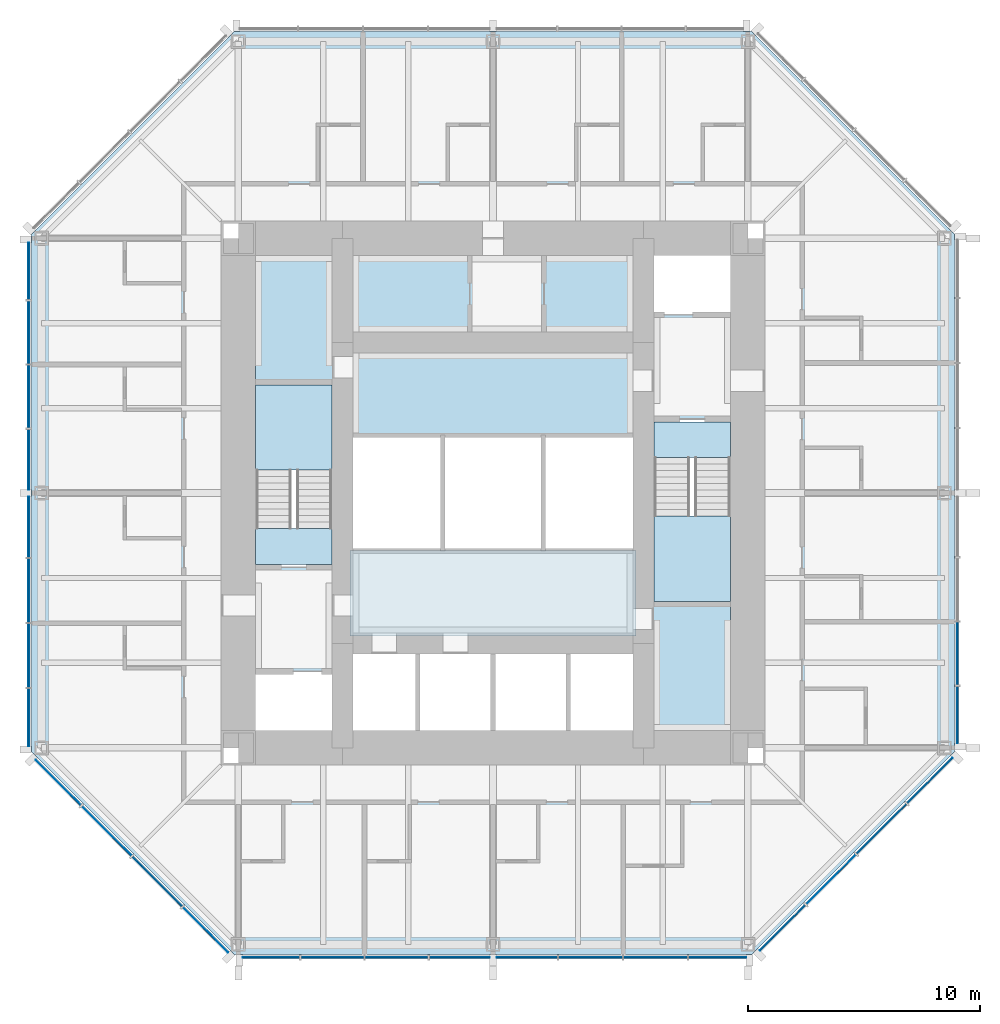
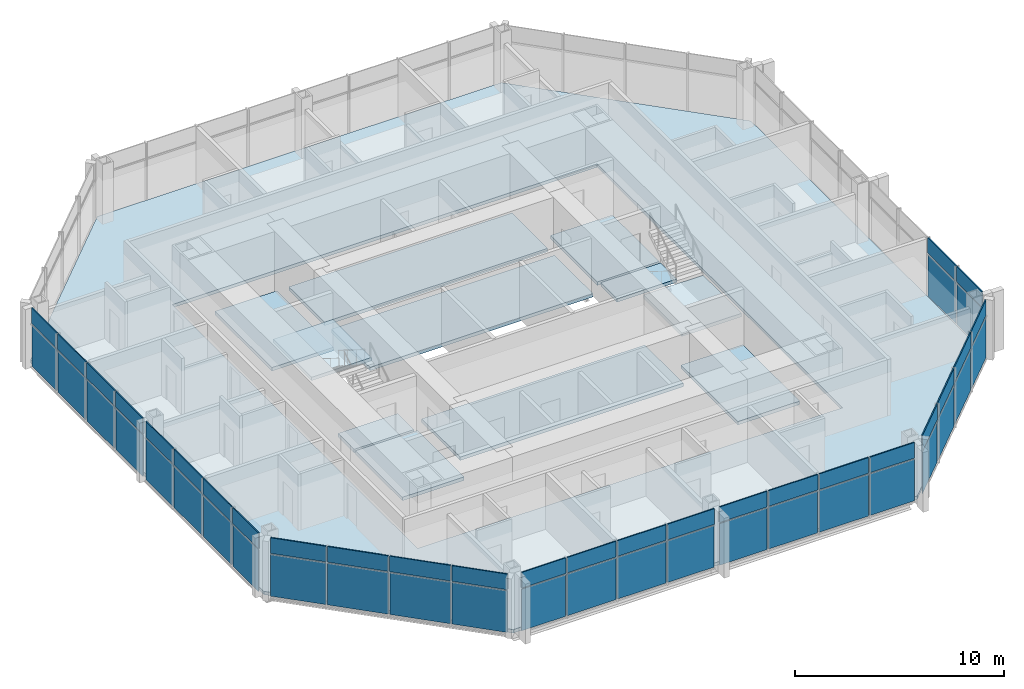
# One storey, part 6 of 12: 52 plates, 12 slabs, 7 elements without a shape of their own.
"""IFC4 building model written with IfcOpenShell, lengths in metres."""

import ifcopenshell
import ifcopenshell.guid

model = None  # the IFC model being written
_history = None  # IfcOwnerHistory: only IFC2X3 demands one
_inside = {}  # id of a spatial element -> (the spatial element, [elements in it])
_under = {}  # id of a project, library or spatial element -> (it, [spatial elements below it])
_declared = {}  # id of a project -> (the project, [libraries it declares])
_typed = {}  # id of a type object -> (the type object, [elements of that type])
_made_of = {}  # id of a material, layer set ... -> (it, [elements and type objects made of it])


def new_model(schema):
    """Start an empty IFC model of exactly this schema.

    Asked for "IFC4X3", IfcOpenShell would pick the latest addendum, in which some entities
    have other attributes; the version numbers below select the first issue.
    IFC2X3 requires an IfcOwnerHistory on every rooted entity: one is made here for all.
    """
    global model, _history
    if schema == "IFC4X3":
        model = ifcopenshell.file(schema_version=(4, 3, 0, 0))
    else:
        model = ifcopenshell.file(schema=schema)
    _inside.clear()
    _under.clear()
    _declared.clear()
    _typed.clear()
    _made_of.clear()
    _history = None
    if model.schema == "IFC2X3":
        org = make("IfcOrganization", Name="unknown")
        user = make(
            "IfcPersonAndOrganization",
            ThePerson=make("IfcPerson", FamilyName="unknown"),
            TheOrganization=org,
        )
        app = make(
            "IfcApplication",
            ApplicationDeveloper=org,
            Version="unknown",
            ApplicationFullName="unknown",
            ApplicationIdentifier="unknown",
        )
        _history = make(
            "IfcOwnerHistory",
            OwningUser=user,
            OwningApplication=app,
            ChangeAction="ADDED",
            CreationDate=0,
        )
    return model


def make(cls, **values):
    """One entity of the class cls with the attributes given. An attribute that is None is left unset."""
    return model.create_entity(
        cls, **{name: value for name, value in values.items() if value is not None}
    )


def rooted(cls, **values):
    """An entity with a GlobalId (a new one), such as an element, a storey or a relation."""
    return make(cls, GlobalId=ifcopenshell.guid.new(), OwnerHistory=_history, **values)


def si_unit(unit_type, name, prefix=None):
    """IfcSIUnit, for example si_unit("LENGTHUNIT", "METRE", prefix="MILLI")."""
    return make("IfcSIUnit", UnitType=unit_type, Prefix=prefix, Name=name)


def assignment(units):
    """IfcUnitAssignment: the units of a project."""
    return None if units is None else make("IfcUnitAssignment", Units=units)


def point(xyz):
    """IfcCartesianPoint."""
    return None if xyz is None else make("IfcCartesianPoint", Coordinates=xyz)


def direction(xyz):
    """IfcDirection."""
    return None if xyz is None else make("IfcDirection", DirectionRatios=xyz)


def frame(location, z_axis=None, x_axis=None):
    """IfcAxis2Placement3D, a coordinate frame: its origin and axes. An axis left out is left unset."""
    return make(
        "IfcAxis2Placement3D",
        Location=point(location),
        Axis=direction(z_axis),
        RefDirection=direction(x_axis),
    )


def frame_2d(location, x_axis=None):
    """IfcAxis2Placement2D, a coordinate frame in the plane: its origin and x axis."""
    return make(
        "IfcAxis2Placement2D", Location=point(location), RefDirection=direction(x_axis)
    )


def origin():
    """The frame at (0, 0, 0) with its axes left unset."""
    return frame((0.0, 0.0, 0.0))


def origin_2d():
    """The frame at (0, 0) in the plane with its x axis left unset."""
    return frame_2d((0.0, 0.0))


def place(relative_to, where):
    """IfcLocalPlacement: puts the frame where relative to a parent placement (None: the world)."""
    return make(
        "IfcLocalPlacement", PlacementRelTo=relative_to, RelativePlacement=where
    )


def context(
    kind, dimensions, precision=None, world=None, true_north=None, identifier=None
):
    """IfcGeometricRepresentationContext, for example the 3D "Model" context."""
    return make(
        "IfcGeometricRepresentationContext",
        ContextIdentifier=identifier,
        ContextType=kind,
        CoordinateSpaceDimension=dimensions,
        Precision=precision,
        WorldCoordinateSystem=world,
        TrueNorth=true_north,
    )


def subcontext(parent, identifier, kind, view, scale=None):
    """IfcGeometricRepresentationSubContext, for example "Body" below "Model"."""
    return make(
        "IfcGeometricRepresentationSubContext",
        ContextIdentifier=identifier,
        ContextType=kind,
        ParentContext=parent,
        TargetScale=scale,
        TargetView=view,
    )


def project(units=None, contexts=None):
    """IfcProject with its units and contexts."""
    return rooted(
        "IfcProject",
        Name="project",
        RepresentationContexts=contexts,
        UnitsInContext=assignment(units),
    )


def spatial(cls, under=None, at=None, **own):
    """A site, building, storey or space (cls), placed at a placement, below another one or the project."""
    s = rooted(cls, ObjectPlacement=at, **own)
    if under is not None:
        _under.setdefault(under.id(), (under, []))[1].append(s)
    return s


def polyline(points):
    """IfcPolyline through the points."""
    return make("IfcPolyline", Points=[point(p) for p in points])


def profile(cls, at=None, kind="AREA", **sizes):
    """A parametric profile (cls). Its sizes go by their IFC names, for example OverallWidth=200.0."""
    return make(cls, ProfileType=kind, Position=at, **sizes)


def rectangle(**sizes):
    """IfcRectangleProfileDef."""
    return profile("IfcRectangleProfileDef", **sizes)


def outline(outer, holes=None, kind="AREA"):
    """IfcArbitraryClosedProfileDef: a profile drawn as a closed curve; with holes, ...WithVoids."""
    if holes is None:
        return make("IfcArbitraryClosedProfileDef", ProfileType=kind, OuterCurve=outer)
    return make(
        "IfcArbitraryProfileDefWithVoids",
        ProfileType=kind,
        OuterCurve=outer,
        InnerCurves=holes,
    )


def extrude(swept, where, along, depth):
    """IfcExtrudedAreaSolid: the profile swept, set in the frame where, extruded along a direction by depth."""
    return make(
        "IfcExtrudedAreaSolid",
        SweptArea=swept,
        Position=where,
        ExtrudedDirection=direction(along),
        Depth=depth,
    )


def shape(context_of_items, identifier, shape_type, items):
    """IfcShapeRepresentation: the items that make up one representation, for example the "Body"."""
    return make(
        "IfcShapeRepresentation",
        ContextOfItems=context_of_items,
        RepresentationIdentifier=identifier,
        RepresentationType=shape_type,
        Items=items,
    )


def material(Name=None, Category=None):
    """IfcMaterial."""
    return make("IfcMaterial", Name=Name, Category=Category)


def layer(
    of_material, thickness, ventilated=None, Name=None, Category=None, Priority=None
):
    """IfcMaterialLayer: one layer of a wall or slab, of a material (None: an air gap)."""
    return make(
        "IfcMaterialLayer",
        Material=of_material,
        LayerThickness=thickness,
        IsVentilated=ventilated,
        Name=Name,
        Category=Category,
        Priority=Priority,
    )


def layer_set(layers, Name=None):
    """IfcMaterialLayerSet."""
    return make("IfcMaterialLayerSet", MaterialLayers=layers, LayerSetName=Name)


def made_of(thing, what):
    """Note that an element or type object is made of a material, layer set ...; save() writes the relation."""
    if what is not None:
        _made_of.setdefault(what.id(), (what, []))[1].append(thing)
    return thing


def type_object(cls, material=None, **own):
    """A type object (cls), such as IfcWallType, which elements share."""
    return made_of(rooted(cls, **own), material)


def element(
    cls,
    number,
    at=None,
    inside=None,
    cuts=None,
    type_object=None,
    material=None,
    context=None,
    identifier="Body",
    shape_type=None,
    held_by="IfcProductDefinitionShape",
    body=None,
    shapes=None,
    **own,
):
    """One element of the class cls, such as IfcWall. Its Tag is "e" and its number.

    at: its placement. inside: the storey or other place that contains it. cuts: it is an
    opening in that element (IfcRelVoidsElement). A single representation is given by context,
    identifier, shape_type and body (its items); several are given by shapes. held_by: the class
    of the entity that holds the representations. save() writes the other relations.
    """
    e = rooted(cls, Tag="e%d" % number, ObjectPlacement=at, **own)
    if body is not None:
        shapes = [shape(context, identifier, shape_type, body)]
    if shapes is not None:
        e.Representation = make(held_by, Representations=shapes)
    if inside is not None:
        _inside.setdefault(inside.id(), (inside, []))[1].append(e)
    if cuts is not None:
        rooted(
            "IfcRelVoidsElement", RelatingBuildingElement=cuts, RelatedOpeningElement=e
        )
    if type_object is not None:
        _typed.setdefault(type_object.id(), (type_object, []))[1].append(e)
    return made_of(e, material)


def aggregate(whole, parts):
    """IfcRelAggregates: a whole, such as a stair, and the parts it consists of."""
    return rooted("IfcRelAggregates", RelatingObject=whole, RelatedObjects=parts)


def save(model, path):
    """Write the relations noted so far, then the file.

    IfcRelAggregates (storeys below a building ...), IfcRelContainedInSpatialStructure (elements
    in a storey), IfcRelDefinesByType, IfcRelAssociatesMaterial and IfcRelDeclares: one each for
    every whole, place, type object, material and project.
    """
    for whole, parts in _under.values():
        aggregate(whole, parts)
    for where, things in _inside.values():
        rooted(
            "IfcRelContainedInSpatialStructure",
            RelatedElements=things,
            RelatingStructure=where,
        )
    for kind, things in _typed.values():
        rooted("IfcRelDefinesByType", RelatedObjects=things, RelatingType=kind)
    for what, things in _made_of.values():
        rooted("IfcRelAssociatesMaterial", RelatedObjects=things, RelatingMaterial=what)
    for by, libraries in _declared.values():
        rooted("IfcRelDeclares", RelatingContext=by, RelatedDefinitions=libraries)
    model.write(path)


model = new_model("IFC4")

# Units and contexts
model_context = context("Model", 3, precision=1e-05, world=origin(), true_north=direction((0.0, 1.0)))
body_context = subcontext(model_context, "Body", "Model", "MODEL_VIEW")
ifc_project = project(units=[si_unit("LENGTHUNIT", "METRE"), si_unit("AREAUNIT", "SQUARE_METRE"), si_unit("VOLUMEUNIT", "CUBIC_METRE"), si_unit("PLANEANGLEUNIT", "RADIAN"), si_unit("MASSUNIT", "GRAM", prefix="KILO")], contexts=[model_context])

# Site, building, storey
site_placement = place(None, origin())
site = spatial("IfcSite", under=ifc_project, at=site_placement, CompositionType="ELEMENT")
building_placement = place(site_placement, origin())
building = spatial("IfcBuilding", under=site, at=building_placement, Name="Trevanion Tower", CompositionType="ELEMENT")
storey_placement = place(building_placement, frame((0.0, 0.0, 190.699951171875)))
storey = spatial("IfcBuildingStorey", under=building, at=storey_placement, Name="L44", CompositionType="ELEMENT", Elevation=190.699951171875)

# Curtain wall, plates
ifc_material_1 = material(Name="Aluminium and glass", Category="aluminium")
curtain_wall_type = type_object("IfcCurtainWallType", Name="CW3 curtain wall", PredefinedType="USERDEFINED", material=ifc_material_1)
curtain_wall_1_placement = place(storey_placement, origin())
curtain_wall_1 = element("IfcCurtainWall", 1, at=curtain_wall_1_placement, inside=storey, type_object=curtain_wall_type, Name="CW3 L44 0", ObjectType="UNITISED CURTAIN WALL", PredefinedType="USERDEFINED")
ifc_material_2 = material(Name="Aluminium spandrel panel", Category="aluminium")
ifc_layer_1 = layer(ifc_material_2, 0.06005859375)
ifc_layer_set_1 = layer_set([ifc_layer_1], Name="CW3 spandrel panel")
plate_type_1 = type_object("IfcPlateType", Name="CW3 spandrel panel", PredefinedType="CURTAIN_PANEL", material=ifc_layer_set_1)
plate_1_placement = place(storey_placement, frame((20.050048828125, -9.579345703125, 2.3974609375), z_axis=(0.0, 0.0, 1.0), x_axis=(0.0, 1.0, 0.0)))
plate_1 = element("IfcPlate", 2, at=plate_1_placement, type_object=plate_type_1, Name="CW3 panel 1.2", PredefinedType="CURTAIN_PANEL", context=body_context, shape_type="SweptSolid", body=[
    extrude(rectangle(XDim=2.43701171875, YDim=0.06005859375, at=origin_2d()), origin(), (0.0, 0.0, 1.0), 0.91259765625),
])
plate_2_placement = place(storey_placement, frame((20.050048828125, -6.93603515625, 2.3974609375), z_axis=(0.0, 0.0, 1.0), x_axis=(0.0, 1.0, 0.0)))
plate_2 = element("IfcPlate", 3, at=plate_2_placement, type_object=plate_type_1, Name="CW3 panel 2.2", PredefinedType="CURTAIN_PANEL", context=body_context, shape_type="SweptSolid", body=[
    extrude(rectangle(XDim=2.699462890625, YDim=0.06005859375, at=origin_2d()), origin(), (0.0, 0.0, 1.0), 0.91259765625),
])

curtain_wall_2_placement = place(storey_placement, origin())
curtain_wall_2 = element("IfcCurtainWall", 4, at=curtain_wall_2_placement, inside=storey, type_object=curtain_wall_type, Name="CW3 L44 4", ObjectType="UNITISED CURTAIN WALL", PredefinedType="USERDEFINED")
plate_3_placement = place(storey_placement, frame((-20.050048828125, 9.579345703125, 2.3974609375), z_axis=(0.0, 0.0, 1.0), x_axis=(0.0, -1.0, 0.0)))
plate_3 = element("IfcPlate", 5, at=plate_3_placement, type_object=plate_type_1, Name="CW3 panel 1.2", PredefinedType="CURTAIN_PANEL", context=body_context, shape_type="SweptSolid", body=[
    extrude(rectangle(XDim=2.43701171875, YDim=0.06005859375, at=origin_2d()), origin(), (0.0, 0.0, 1.0), 0.91259765625),
])
plate_4_placement = place(storey_placement, frame((-20.050048828125, 6.93603515625, 2.3974609375), z_axis=(0.0, 0.0, 1.0), x_axis=(0.0, -1.0, 0.0)))
plate_4 = element("IfcPlate", 6, at=plate_4_placement, type_object=plate_type_1, Name="CW3 panel 2.2", PredefinedType="CURTAIN_PANEL", context=body_context, shape_type="SweptSolid", body=[
    extrude(rectangle(XDim=2.699462890625, YDim=0.06005859375, at=origin_2d()), origin(), (0.0, 0.0, 1.0), 0.91259765625),
])
plate_5_placement = place(storey_placement, frame((-20.050048828125, 4.16162109375, 2.3974609375), z_axis=(0.0, 0.0, 1.0), x_axis=(0.0, -1.0, 0.0)))
plate_5 = element("IfcPlate", 7, at=plate_5_placement, type_object=plate_type_1, Name="CW3 panel 3.2", PredefinedType="CURTAIN_PANEL", context=body_context, shape_type="SweptSolid", body=[
    extrude(rectangle(XDim=2.699462890625, YDim=0.06005859375, at=origin_2d()), origin(), (0.0, 0.0, 1.0), 0.91259765625),
])
plate_6_placement = place(storey_placement, frame((-20.050048828125, 1.443603515625, 2.3974609375), z_axis=(0.0, 0.0, 1.0), x_axis=(0.0, -1.0, 0.0)))
plate_6 = element("IfcPlate", 8, at=plate_6_placement, type_object=plate_type_1, Name="CW3 panel 4.2", PredefinedType="CURTAIN_PANEL", context=body_context, shape_type="SweptSolid", body=[
    extrude(rectangle(XDim=2.5869140625, YDim=0.06005859375, at=origin_2d()), origin(), (0.0, 0.0, 1.0), 0.91259765625),
])
plate_7_placement = place(storey_placement, frame((-20.050048828125, -1.459716796875, 2.3974609375), z_axis=(0.0, 0.0, 1.0), x_axis=(0.0, -1.0, 0.0)))
plate_7 = element("IfcPlate", 9, at=plate_7_placement, type_object=plate_type_1, Name="CW3 panel 5.2", PredefinedType="CURTAIN_PANEL", context=body_context, shape_type="SweptSolid", body=[
    extrude(rectangle(XDim=2.619384765625, YDim=0.06005859375, at=origin_2d()), origin(), (0.0, 0.0, 1.0), 0.91259765625),
])
plate_8_placement = place(storey_placement, frame((-20.050048828125, -4.21044921875, 2.3974609375), z_axis=(0.0, 0.0, 1.0), x_axis=(0.0, -1.0, 0.0)))
plate_8 = element("IfcPlate", 10, at=plate_8_placement, type_object=plate_type_1, Name="CW3 panel 6.2", PredefinedType="CURTAIN_PANEL", context=body_context, shape_type="SweptSolid", body=[
    extrude(rectangle(XDim=2.73193359375, YDim=0.06005859375, at=origin_2d()), origin(), (0.0, 0.0, 1.0), 0.91259765625),
])
plate_9_placement = place(storey_placement, frame((-20.050048828125, -7.017333984375, 2.3974609375), z_axis=(0.0, 0.0, 1.0), x_axis=(0.0, -1.0, 0.0)))
plate_9 = element("IfcPlate", 11, at=plate_9_placement, type_object=plate_type_1, Name="CW3 panel 7.2", PredefinedType="CURTAIN_PANEL", context=body_context, shape_type="SweptSolid", body=[
    extrude(rectangle(XDim=2.73193359375, YDim=0.06005859375, at=origin_2d()), origin(), (0.0, 0.0, 1.0), 0.91259765625),
])
plate_10_placement = place(storey_placement, frame((-20.050048828125, -9.693115234375, 2.3974609375), z_axis=(0.0, 0.0, 1.0), x_axis=(0.0, -1.0, 0.0)))
plate_10 = element("IfcPlate", 12, at=plate_10_placement, type_object=plate_type_1, Name="CW3 panel 8.2", PredefinedType="CURTAIN_PANEL", context=body_context, shape_type="SweptSolid", body=[
    extrude(rectangle(XDim=2.469482421875, YDim=0.06005859375, at=origin_2d()), origin(), (0.0, 0.0, 1.0), 0.91259765625),
])

curtain_wall_3_placement = place(storey_placement, origin())
curtain_wall_3 = element("IfcCurtainWall", 13, at=curtain_wall_3_placement, inside=storey, type_object=curtain_wall_type, Name="CW3 L44 5", ObjectType="UNITISED CURTAIN WALL", PredefinedType="USERDEFINED")
plate_11_placement = place(storey_placement, frame((-18.77392578125, -12.50390625, 2.3974609375), z_axis=(0.0, 0.0, 1.0), x_axis=(0.707106781187, -0.707106781187, 0.0)))
plate_11 = element("IfcPlate", 14, at=plate_11_placement, type_object=plate_type_1, Name="CW3 panel 1.2", PredefinedType="CURTAIN_PANEL", context=body_context, shape_type="SweptSolid", body=[
    extrude(rectangle(XDim=2.7490234375, YDim=0.06005859375, at=origin_2d()), origin(), (0.0, 0.0, 1.0), 0.91259765625),
])
plate_12_placement = place(storey_placement, frame((-16.68408203125, -14.593505859375, 2.3974609375), z_axis=(0.0, 0.0, 1.0), x_axis=(0.707106781187, -0.707106781187, 0.0)))
plate_12 = element("IfcPlate", 15, at=plate_12_placement, type_object=plate_type_1, Name="CW3 panel 2.2", PredefinedType="CURTAIN_PANEL", context=body_context, shape_type="SweptSolid", body=[
    extrude(rectangle(XDim=3.01171875, YDim=0.06005859375, at=origin_2d()), origin(), (0.0, 0.0, 1.0), 0.91259765625),
])
plate_13_placement = place(storey_placement, frame((-14.501708984375, -16.776123046875, 2.3974609375), z_axis=(0.0, 0.0, 1.0), x_axis=(0.707106781187, -0.707106781187, 0.0)))
plate_13 = element("IfcPlate", 16, at=plate_13_placement, type_object=plate_type_1, Name="CW3 panel 3.2", PredefinedType="CURTAIN_PANEL", context=body_context, shape_type="SweptSolid", body=[
    extrude(rectangle(XDim=3.01171875, YDim=0.06005859375, at=origin_2d()), origin(), (0.0, 0.0, 1.0), 0.91259765625),
])
plate_14_placement = place(storey_placement, frame((-12.411865234375, -18.865966796875, 2.3974609375), z_axis=(0.0, 0.0, 1.0), x_axis=(0.707106781187, -0.707106781187, 0.0)))
plate_14 = element("IfcPlate", 17, at=plate_14_placement, type_object=plate_type_1, Name="CW3 panel 4.2", PredefinedType="CURTAIN_PANEL", context=body_context, shape_type="SweptSolid", body=[
    extrude(rectangle(XDim=2.7490234375, YDim=0.06005859375, at=origin_2d()), origin(), (0.0, 0.0, 1.0), 0.91259765625),
])

curtain_wall_4_placement = place(storey_placement, origin())
curtain_wall_4 = element("IfcCurtainWall", 18, at=curtain_wall_4_placement, inside=storey, type_object=curtain_wall_type, Name="CW3 L44 6", ObjectType="UNITISED CURTAIN WALL", PredefinedType="USERDEFINED")
plate_15_placement = place(storey_placement, frame((-9.579345703125, -20.050048828125, 2.3974609375), z_axis=(0.0, 0.0, 1.0), x_axis=(1.0, 0.0, 0.0)))
plate_15 = element("IfcPlate", 19, at=plate_15_placement, type_object=plate_type_1, Name="CW3 panel 1.2", PredefinedType="CURTAIN_PANEL", context=body_context, shape_type="SweptSolid", body=[
    extrude(rectangle(XDim=2.43701171875, YDim=0.06005859375, at=origin_2d()), origin(), (0.0, 0.0, 1.0), 0.91259765625),
])
plate_16_placement = place(storey_placement, frame((-6.93603515625, -20.050048828125, 2.3974609375), z_axis=(0.0, 0.0, 1.0), x_axis=(1.0, 0.0, 0.0)))
plate_16 = element("IfcPlate", 20, at=plate_16_placement, type_object=plate_type_1, Name="CW3 panel 2.2", PredefinedType="CURTAIN_PANEL", context=body_context, shape_type="SweptSolid", body=[
    extrude(rectangle(XDim=2.699462890625, YDim=0.06005859375, at=origin_2d()), origin(), (0.0, 0.0, 1.0), 0.91259765625),
])
plate_17_placement = place(storey_placement, frame((-4.16162109375, -20.050048828125, 2.3974609375), z_axis=(0.0, 0.0, 1.0), x_axis=(1.0, 0.0, 0.0)))
plate_17 = element("IfcPlate", 21, at=plate_17_placement, type_object=plate_type_1, Name="CW3 panel 3.2", PredefinedType="CURTAIN_PANEL", context=body_context, shape_type="SweptSolid", body=[
    extrude(rectangle(XDim=2.699462890625, YDim=0.06005859375, at=origin_2d()), origin(), (0.0, 0.0, 1.0), 0.91259765625),
])
plate_18_placement = place(storey_placement, frame((-1.443603515625, -20.050048828125, 2.3974609375), z_axis=(0.0, 0.0, 1.0), x_axis=(1.0, 0.0, 0.0)))
plate_18 = element("IfcPlate", 22, at=plate_18_placement, type_object=plate_type_1, Name="CW3 panel 4.2", PredefinedType="CURTAIN_PANEL", context=body_context, shape_type="SweptSolid", body=[
    extrude(rectangle(XDim=2.5869140625, YDim=0.06005859375, at=origin_2d()), origin(), (0.0, 0.0, 1.0), 0.91259765625),
])
plate_19_placement = place(storey_placement, frame((1.459716796875, -20.050048828125, 2.3974609375), z_axis=(0.0, 0.0, 1.0), x_axis=(1.0, 0.0, 0.0)))
plate_19 = element("IfcPlate", 23, at=plate_19_placement, type_object=plate_type_1, Name="CW3 panel 5.2", PredefinedType="CURTAIN_PANEL", context=body_context, shape_type="SweptSolid", body=[
    extrude(rectangle(XDim=2.619384765625, YDim=0.06005859375, at=origin_2d()), origin(), (0.0, 0.0, 1.0), 0.91259765625),
])
plate_20_placement = place(storey_placement, frame((4.21044921875, -20.050048828125, 2.3974609375), z_axis=(0.0, 0.0, 1.0), x_axis=(1.0, 0.0, 0.0)))
plate_20 = element("IfcPlate", 24, at=plate_20_placement, type_object=plate_type_1, Name="CW3 panel 6.2", PredefinedType="CURTAIN_PANEL", context=body_context, shape_type="SweptSolid", body=[
    extrude(rectangle(XDim=2.73193359375, YDim=0.06005859375, at=origin_2d()), origin(), (0.0, 0.0, 1.0), 0.91259765625),
])
plate_21_placement = place(storey_placement, frame((7.017333984375, -20.050048828125, 2.3974609375), z_axis=(0.0, 0.0, 1.0), x_axis=(1.0, 0.0, 0.0)))
plate_21 = element("IfcPlate", 25, at=plate_21_placement, type_object=plate_type_1, Name="CW3 panel 7.2", PredefinedType="CURTAIN_PANEL", context=body_context, shape_type="SweptSolid", body=[
    extrude(rectangle(XDim=2.73193359375, YDim=0.06005859375, at=origin_2d()), origin(), (0.0, 0.0, 1.0), 0.91259765625),
])
plate_22_placement = place(storey_placement, frame((9.693115234375, -20.050048828125, 2.3974609375), z_axis=(0.0, 0.0, 1.0), x_axis=(1.0, 0.0, 0.0)))
plate_22 = element("IfcPlate", 26, at=plate_22_placement, type_object=plate_type_1, Name="CW3 panel 8.2", PredefinedType="CURTAIN_PANEL", context=body_context, shape_type="SweptSolid", body=[
    extrude(rectangle(XDim=2.469482421875, YDim=0.06005859375, at=origin_2d()), origin(), (0.0, 0.0, 1.0), 0.91259765625),
])

curtain_wall_5_placement = place(storey_placement, origin())
curtain_wall_5 = element("IfcCurtainWall", 27, at=curtain_wall_5_placement, inside=storey, type_object=curtain_wall_type, Name="CW3 L44 7", ObjectType="UNITISED CURTAIN WALL", PredefinedType="USERDEFINED")
plate_23_placement = place(storey_placement, frame((12.50390625, -18.77392578125, 2.3974609375), z_axis=(0.0, 0.0, 1.0), x_axis=(0.707106781187, 0.707106781187, 0.0)))
plate_23 = element("IfcPlate", 28, at=plate_23_placement, type_object=plate_type_1, Name="CW3 panel 1.2", PredefinedType="CURTAIN_PANEL", context=body_context, shape_type="SweptSolid", body=[
    extrude(rectangle(XDim=2.7490234375, YDim=0.06005859375, at=origin_2d()), origin(), (0.0, 0.0, 1.0), 0.91259765625),
])
plate_24_placement = place(storey_placement, frame((14.593505859375, -16.68408203125, 2.3974609375), z_axis=(0.0, 0.0, 1.0), x_axis=(0.707106781187, 0.707106781187, 0.0)))
plate_24 = element("IfcPlate", 29, at=plate_24_placement, type_object=plate_type_1, Name="CW3 panel 2.2", PredefinedType="CURTAIN_PANEL", context=body_context, shape_type="SweptSolid", body=[
    extrude(rectangle(XDim=3.01171875, YDim=0.06005859375, at=origin_2d()), origin(), (0.0, 0.0, 1.0), 0.91259765625),
])
plate_25_placement = place(storey_placement, frame((16.776123046875, -14.501708984375, 2.3974609375), z_axis=(0.0, 0.0, 1.0), x_axis=(0.707106781187, 0.707106781187, 0.0)))
plate_25 = element("IfcPlate", 30, at=plate_25_placement, type_object=plate_type_1, Name="CW3 panel 3.2", PredefinedType="CURTAIN_PANEL", context=body_context, shape_type="SweptSolid", body=[
    extrude(rectangle(XDim=3.01171875, YDim=0.06005859375, at=origin_2d()), origin(), (0.0, 0.0, 1.0), 0.91259765625),
])
plate_26_placement = place(storey_placement, frame((18.865966796875, -12.411865234375, 2.3974609375), z_axis=(0.0, 0.0, 1.0), x_axis=(0.707106781187, 0.707106781187, 0.0)))
plate_26 = element("IfcPlate", 31, at=plate_26_placement, type_object=plate_type_1, Name="CW3 panel 4.2", PredefinedType="CURTAIN_PANEL", context=body_context, shape_type="SweptSolid", body=[
    extrude(rectangle(XDim=2.7490234375, YDim=0.06005859375, at=origin_2d()), origin(), (0.0, 0.0, 1.0), 0.91259765625),
])

# Plate
ifc_material_3 = material(Name="Insulating glass unit", Category="glass")
ifc_layer_2 = layer(ifc_material_3, 0.028076171875)
ifc_layer_set_2 = layer_set([ifc_layer_2], Name="CW3 vision panel")
plate_type_2 = type_object("IfcPlateType", Name="CW3 vision panel", PredefinedType="CURTAIN_PANEL", material=ifc_layer_set_2)
plate_27_placement = place(storey_placement, frame((20.050048828125, -9.579345703125, -0.114990234375), z_axis=(0.0, 0.0, 1.0), x_axis=(0.0, 1.0, 0.0)))
plate_27 = element("IfcPlate", 32, at=plate_27_placement, type_object=plate_type_2, Name="CW3 panel 1.1", PredefinedType="CURTAIN_PANEL", context=body_context, shape_type="SweptSolid", body=[
    extrude(rectangle(XDim=2.43701171875, YDim=0.028076171875, at=origin_2d()), origin(), (0.0, 0.0, 1.0), 2.4375),
])

plate_28_placement = place(storey_placement, frame((20.050048828125, -6.93603515625, -0.114990234375), z_axis=(0.0, 0.0, 1.0), x_axis=(0.0, 1.0, 0.0)))
plate_28 = element("IfcPlate", 33, at=plate_28_placement, type_object=plate_type_2, Name="CW3 panel 2.1", PredefinedType="CURTAIN_PANEL", context=body_context, shape_type="SweptSolid", body=[
    extrude(rectangle(XDim=2.699462890625, YDim=0.028076171875, at=origin_2d()), origin(), (0.0, 0.0, 1.0), 2.4375),
])

aggregate(curtain_wall_1, [plate_27, plate_1, plate_28, plate_2])

plate_29_placement = place(storey_placement, frame((-20.050048828125, 9.579345703125, -0.114990234375), z_axis=(0.0, 0.0, 1.0), x_axis=(0.0, -1.0, 0.0)))
plate_29 = element("IfcPlate", 34, at=plate_29_placement, type_object=plate_type_2, Name="CW3 panel 1.1", PredefinedType="CURTAIN_PANEL", context=body_context, shape_type="SweptSolid", body=[
    extrude(rectangle(XDim=2.43701171875, YDim=0.028076171875, at=origin_2d()), origin(), (0.0, 0.0, 1.0), 2.4375),
])

plate_30_placement = place(storey_placement, frame((-20.050048828125, 6.93603515625, -0.114990234375), z_axis=(0.0, 0.0, 1.0), x_axis=(0.0, -1.0, 0.0)))
plate_30 = element("IfcPlate", 35, at=plate_30_placement, type_object=plate_type_2, Name="CW3 panel 2.1", PredefinedType="CURTAIN_PANEL", context=body_context, shape_type="SweptSolid", body=[
    extrude(rectangle(XDim=2.699462890625, YDim=0.028076171875, at=origin_2d()), origin(), (0.0, 0.0, 1.0), 2.4375),
])

plate_31_placement = place(storey_placement, frame((-20.050048828125, 4.16162109375, -0.114990234375), z_axis=(0.0, 0.0, 1.0), x_axis=(0.0, -1.0, 0.0)))
plate_31 = element("IfcPlate", 36, at=plate_31_placement, type_object=plate_type_2, Name="CW3 panel 3.1", PredefinedType="CURTAIN_PANEL", context=body_context, shape_type="SweptSolid", body=[
    extrude(rectangle(XDim=2.699462890625, YDim=0.028076171875, at=origin_2d()), origin(), (0.0, 0.0, 1.0), 2.4375),
])

plate_32_placement = place(storey_placement, frame((-20.050048828125, 1.443603515625, -0.114990234375), z_axis=(0.0, 0.0, 1.0), x_axis=(0.0, -1.0, 0.0)))
plate_32 = element("IfcPlate", 37, at=plate_32_placement, type_object=plate_type_2, Name="CW3 panel 4.1", PredefinedType="CURTAIN_PANEL", context=body_context, shape_type="SweptSolid", body=[
    extrude(rectangle(XDim=2.5869140625, YDim=0.028076171875, at=origin_2d()), origin(), (0.0, 0.0, 1.0), 2.4375),
])

plate_33_placement = place(storey_placement, frame((-20.050048828125, -1.459716796875, -0.114990234375), z_axis=(0.0, 0.0, 1.0), x_axis=(0.0, -1.0, 0.0)))
plate_33 = element("IfcPlate", 38, at=plate_33_placement, type_object=plate_type_2, Name="CW3 panel 5.1", PredefinedType="CURTAIN_PANEL", context=body_context, shape_type="SweptSolid", body=[
    extrude(rectangle(XDim=2.619384765625, YDim=0.028076171875, at=origin_2d()), origin(), (0.0, 0.0, 1.0), 2.4375),
])

plate_34_placement = place(storey_placement, frame((-20.050048828125, -4.21044921875, -0.114990234375), z_axis=(0.0, 0.0, 1.0), x_axis=(0.0, -1.0, 0.0)))
plate_34 = element("IfcPlate", 39, at=plate_34_placement, type_object=plate_type_2, Name="CW3 panel 6.1", PredefinedType="CURTAIN_PANEL", context=body_context, shape_type="SweptSolid", body=[
    extrude(rectangle(XDim=2.73193359375, YDim=0.028076171875, at=origin_2d()), origin(), (0.0, 0.0, 1.0), 2.4375),
])

plate_35_placement = place(storey_placement, frame((-20.050048828125, -7.017333984375, -0.114990234375), z_axis=(0.0, 0.0, 1.0), x_axis=(0.0, -1.0, 0.0)))
plate_35 = element("IfcPlate", 40, at=plate_35_placement, type_object=plate_type_2, Name="CW3 panel 7.1", PredefinedType="CURTAIN_PANEL", context=body_context, shape_type="SweptSolid", body=[
    extrude(rectangle(XDim=2.73193359375, YDim=0.028076171875, at=origin_2d()), origin(), (0.0, 0.0, 1.0), 2.4375),
])

plate_36_placement = place(storey_placement, frame((-20.050048828125, -9.693115234375, -0.114990234375), z_axis=(0.0, 0.0, 1.0), x_axis=(0.0, -1.0, 0.0)))
plate_36 = element("IfcPlate", 41, at=plate_36_placement, type_object=plate_type_2, Name="CW3 panel 8.1", PredefinedType="CURTAIN_PANEL", context=body_context, shape_type="SweptSolid", body=[
    extrude(rectangle(XDim=2.469482421875, YDim=0.028076171875, at=origin_2d()), origin(), (0.0, 0.0, 1.0), 2.4375),
])

aggregate(curtain_wall_2, [plate_29, plate_3, plate_30, plate_4, plate_31, plate_5, plate_32, plate_6, plate_33, plate_7, plate_34, plate_8, plate_35, plate_9, plate_36, plate_10])

plate_37_placement = place(storey_placement, frame((-18.77392578125, -12.50390625, -0.114990234375), z_axis=(0.0, 0.0, 1.0), x_axis=(0.707106781187, -0.707106781187, 0.0)))
plate_37 = element("IfcPlate", 42, at=plate_37_placement, type_object=plate_type_2, Name="CW3 panel 1.1", PredefinedType="CURTAIN_PANEL", context=body_context, shape_type="SweptSolid", body=[
    extrude(rectangle(XDim=2.7490234375, YDim=0.028076171875, at=origin_2d()), origin(), (0.0, 0.0, 1.0), 2.4375),
])

plate_38_placement = place(storey_placement, frame((-16.68408203125, -14.593505859375, -0.114990234375), z_axis=(0.0, 0.0, 1.0), x_axis=(0.707106781187, -0.707106781187, 0.0)))
plate_38 = element("IfcPlate", 43, at=plate_38_placement, type_object=plate_type_2, Name="CW3 panel 2.1", PredefinedType="CURTAIN_PANEL", context=body_context, shape_type="SweptSolid", body=[
    extrude(rectangle(XDim=3.01171875, YDim=0.028076171875, at=origin_2d()), origin(), (0.0, 0.0, 1.0), 2.4375),
])

plate_39_placement = place(storey_placement, frame((-14.501708984375, -16.776123046875, -0.114990234375), z_axis=(0.0, 0.0, 1.0), x_axis=(0.707106781187, -0.707106781187, 0.0)))
plate_39 = element("IfcPlate", 44, at=plate_39_placement, type_object=plate_type_2, Name="CW3 panel 3.1", PredefinedType="CURTAIN_PANEL", context=body_context, shape_type="SweptSolid", body=[
    extrude(rectangle(XDim=3.01171875, YDim=0.028076171875, at=origin_2d()), origin(), (0.0, 0.0, 1.0), 2.4375),
])

plate_40_placement = place(storey_placement, frame((-12.411865234375, -18.865966796875, -0.114990234375), z_axis=(0.0, 0.0, 1.0), x_axis=(0.707106781187, -0.707106781187, 0.0)))
plate_40 = element("IfcPlate", 45, at=plate_40_placement, type_object=plate_type_2, Name="CW3 panel 4.1", PredefinedType="CURTAIN_PANEL", context=body_context, shape_type="SweptSolid", body=[
    extrude(rectangle(XDim=2.7490234375, YDim=0.028076171875, at=origin_2d()), origin(), (0.0, 0.0, 1.0), 2.4375),
])

aggregate(curtain_wall_3, [plate_37, plate_11, plate_38, plate_12, plate_39, plate_13, plate_40, plate_14])

plate_41_placement = place(storey_placement, frame((-9.579345703125, -20.050048828125, -0.114990234375), z_axis=(0.0, 0.0, 1.0), x_axis=(1.0, 0.0, 0.0)))
plate_41 = element("IfcPlate", 46, at=plate_41_placement, type_object=plate_type_2, Name="CW3 panel 1.1", PredefinedType="CURTAIN_PANEL", context=body_context, shape_type="SweptSolid", body=[
    extrude(rectangle(XDim=2.43701171875, YDim=0.028076171875, at=origin_2d()), origin(), (0.0, 0.0, 1.0), 2.4375),
])

plate_42_placement = place(storey_placement, frame((-6.93603515625, -20.050048828125, -0.114990234375), z_axis=(0.0, 0.0, 1.0), x_axis=(1.0, 0.0, 0.0)))
plate_42 = element("IfcPlate", 47, at=plate_42_placement, type_object=plate_type_2, Name="CW3 panel 2.1", PredefinedType="CURTAIN_PANEL", context=body_context, shape_type="SweptSolid", body=[
    extrude(rectangle(XDim=2.699462890625, YDim=0.028076171875, at=origin_2d()), origin(), (0.0, 0.0, 1.0), 2.4375),
])

plate_43_placement = place(storey_placement, frame((-4.16162109375, -20.050048828125, -0.114990234375), z_axis=(0.0, 0.0, 1.0), x_axis=(1.0, 0.0, 0.0)))
plate_43 = element("IfcPlate", 48, at=plate_43_placement, type_object=plate_type_2, Name="CW3 panel 3.1", PredefinedType="CURTAIN_PANEL", context=body_context, shape_type="SweptSolid", body=[
    extrude(rectangle(XDim=2.699462890625, YDim=0.028076171875, at=origin_2d()), origin(), (0.0, 0.0, 1.0), 2.4375),
])

plate_44_placement = place(storey_placement, frame((-1.443603515625, -20.050048828125, -0.114990234375), z_axis=(0.0, 0.0, 1.0), x_axis=(1.0, 0.0, 0.0)))
plate_44 = element("IfcPlate", 49, at=plate_44_placement, type_object=plate_type_2, Name="CW3 panel 4.1", PredefinedType="CURTAIN_PANEL", context=body_context, shape_type="SweptSolid", body=[
    extrude(rectangle(XDim=2.5869140625, YDim=0.028076171875, at=origin_2d()), origin(), (0.0, 0.0, 1.0), 2.4375),
])

plate_45_placement = place(storey_placement, frame((1.459716796875, -20.050048828125, -0.114990234375), z_axis=(0.0, 0.0, 1.0), x_axis=(1.0, 0.0, 0.0)))
plate_45 = element("IfcPlate", 50, at=plate_45_placement, type_object=plate_type_2, Name="CW3 panel 5.1", PredefinedType="CURTAIN_PANEL", context=body_context, shape_type="SweptSolid", body=[
    extrude(rectangle(XDim=2.619384765625, YDim=0.028076171875, at=origin_2d()), origin(), (0.0, 0.0, 1.0), 2.4375),
])

plate_46_placement = place(storey_placement, frame((4.21044921875, -20.050048828125, -0.114990234375), z_axis=(0.0, 0.0, 1.0), x_axis=(1.0, 0.0, 0.0)))
plate_46 = element("IfcPlate", 51, at=plate_46_placement, type_object=plate_type_2, Name="CW3 panel 6.1", PredefinedType="CURTAIN_PANEL", context=body_context, shape_type="SweptSolid", body=[
    extrude(rectangle(XDim=2.73193359375, YDim=0.028076171875, at=origin_2d()), origin(), (0.0, 0.0, 1.0), 2.4375),
])

plate_47_placement = place(storey_placement, frame((7.017333984375, -20.050048828125, -0.114990234375), z_axis=(0.0, 0.0, 1.0), x_axis=(1.0, 0.0, 0.0)))
plate_47 = element("IfcPlate", 52, at=plate_47_placement, type_object=plate_type_2, Name="CW3 panel 7.1", PredefinedType="CURTAIN_PANEL", context=body_context, shape_type="SweptSolid", body=[
    extrude(rectangle(XDim=2.73193359375, YDim=0.028076171875, at=origin_2d()), origin(), (0.0, 0.0, 1.0), 2.4375),
])

plate_48_placement = place(storey_placement, frame((9.693115234375, -20.050048828125, -0.114990234375), z_axis=(0.0, 0.0, 1.0), x_axis=(1.0, 0.0, 0.0)))
plate_48 = element("IfcPlate", 53, at=plate_48_placement, type_object=plate_type_2, Name="CW3 panel 8.1", PredefinedType="CURTAIN_PANEL", context=body_context, shape_type="SweptSolid", body=[
    extrude(rectangle(XDim=2.469482421875, YDim=0.028076171875, at=origin_2d()), origin(), (0.0, 0.0, 1.0), 2.4375),
])

aggregate(curtain_wall_4, [plate_41, plate_15, plate_42, plate_16, plate_43, plate_17, plate_44, plate_18, plate_45, plate_19, plate_46, plate_20, plate_47, plate_21, plate_48, plate_22])

plate_49_placement = place(storey_placement, frame((12.50390625, -18.77392578125, -0.114990234375), z_axis=(0.0, 0.0, 1.0), x_axis=(0.707106781187, 0.707106781187, 0.0)))
plate_49 = element("IfcPlate", 54, at=plate_49_placement, type_object=plate_type_2, Name="CW3 panel 1.1", PredefinedType="CURTAIN_PANEL", context=body_context, shape_type="SweptSolid", body=[
    extrude(rectangle(XDim=2.7490234375, YDim=0.028076171875, at=origin_2d()), origin(), (0.0, 0.0, 1.0), 2.4375),
])

plate_50_placement = place(storey_placement, frame((14.593505859375, -16.68408203125, -0.114990234375), z_axis=(0.0, 0.0, 1.0), x_axis=(0.707106781187, 0.707106781187, 0.0)))
plate_50 = element("IfcPlate", 55, at=plate_50_placement, type_object=plate_type_2, Name="CW3 panel 2.1", PredefinedType="CURTAIN_PANEL", context=body_context, shape_type="SweptSolid", body=[
    extrude(rectangle(XDim=3.01171875, YDim=0.028076171875, at=origin_2d()), origin(), (0.0, 0.0, 1.0), 2.4375),
])

plate_51_placement = place(storey_placement, frame((16.776123046875, -14.501708984375, -0.114990234375), z_axis=(0.0, 0.0, 1.0), x_axis=(0.707106781187, 0.707106781187, 0.0)))
plate_51 = element("IfcPlate", 56, at=plate_51_placement, type_object=plate_type_2, Name="CW3 panel 3.1", PredefinedType="CURTAIN_PANEL", context=body_context, shape_type="SweptSolid", body=[
    extrude(rectangle(XDim=3.01171875, YDim=0.028076171875, at=origin_2d()), origin(), (0.0, 0.0, 1.0), 2.4375),
])

plate_52_placement = place(storey_placement, frame((18.865966796875, -12.411865234375, -0.114990234375), z_axis=(0.0, 0.0, 1.0), x_axis=(0.707106781187, 0.707106781187, 0.0)))
plate_52 = element("IfcPlate", 57, at=plate_52_placement, type_object=plate_type_2, Name="CW3 panel 4.1", PredefinedType="CURTAIN_PANEL", context=body_context, shape_type="SweptSolid", body=[
    extrude(rectangle(XDim=2.7490234375, YDim=0.028076171875, at=origin_2d()), origin(), (0.0, 0.0, 1.0), 2.4375),
])

aggregate(curtain_wall_5, [plate_49, plate_23, plate_50, plate_24, plate_51, plate_25, plate_52, plate_26])

# Slabs
ifc_material_4 = material(Name="Concrete 5,000 psi on composite metal deck", Category="concrete")
ifc_layer_3 = layer(ifc_material_4, 0.18994140625)
ifc_layer_set_3 = layer_set([ifc_layer_3], Name="SL1 composite floor 190")
slab_type_1 = type_object("IfcSlabType", Name="SL1 composite floor 190", PredefinedType="FLOOR", material=ifc_layer_set_3)
slab_1_placement = place(storey_placement, frame((0.0, 0.0, -0.18994140625)))
element("IfcSlab", 58, at=slab_1_placement, inside=storey, type_object=slab_type_1, Name="SL1 L44 floor", PredefinedType="FLOOR", context=body_context, shape_type="SweptSolid", body=[
    extrude(outline(polyline([(19.919921875, -11.174072265625), (19.919921875, 11.174072265625), (11.174072265625, 19.919921875), (-11.174072265625, 19.919921875), (-19.919921875, 11.174072265625), (-19.919921875, -11.174072265625), (-11.174072265625, -19.919921875), (11.174072265625, -19.919921875), (19.919921875, -11.174072265625)]), holes=[polyline([(11.75, -11.75), (11.75, 11.75), (-11.75, 11.75), (-11.75, -11.75), (11.75, -11.75)])]), origin(), (0.0, 0.0, 1.0), 0.18994140625),
])
ifc_material_5 = material(Name="Concrete 5,000 psi", Category="concrete")
ifc_layer_4 = layer(ifc_material_5, 0.199951171875)
ifc_layer_set_4 = layer_set([ifc_layer_4], Name="SL2 core floor 200")
slab_type_2 = type_object("IfcSlabType", Name="SL2 core floor 200", PredefinedType="FLOOR", material=ifc_layer_set_4)
slab_2_placement = place(storey_placement, frame((0.0, 0.0, -0.199951171875)))
element("IfcSlab", 59, at=slab_2_placement, inside=storey, type_object=slab_type_2, Name="SL2 L44 core floor 1", PredefinedType="FLOOR", context=body_context, shape_type="SweptSolid", body=[
    extrude(outline(polyline([(10.25, -4.804931640625), (10.25, -10.25), (6.830078125, -10.25), (6.830078125, -4.804931640625), (10.25, -4.804931640625)])), origin(), (0.0, 0.0, 1.0), 0.199951171875),
])
slab_3_placement = place(storey_placement, frame((0.0, 0.0, -0.199951171875)))
element("IfcSlab", 60, at=slab_3_placement, inside=storey, type_object=slab_type_2, Name="SL2 L44 core floor 2", PredefinedType="FLOOR", context=body_context, shape_type="SweptSolid", body=[
    extrude(outline(polyline([(-6.830078125, -3.205078125), (-6.830078125, -7.695068359375), (-10.25, -7.695068359375), (-10.25, -3.205078125), (-6.830078125, -3.205078125)])), origin(), (0.0, 0.0, 1.0), 0.199951171875),
])
slab_4_placement = place(storey_placement, frame((0.0, 0.0, -0.199951171875)))
element("IfcSlab", 61, at=slab_4_placement, inside=storey, type_object=slab_type_2, Name="SL2 L44 core floor 3", PredefinedType="FLOOR", context=body_context, shape_type="SweptSolid", body=[
    extrude(outline(polyline([(6.169921875, -6.169921875), (-6.169921875, -6.169921875), (-6.169921875, -2.47998046875), (6.169921875, -2.47998046875), (6.169921875, -6.169921875)])), origin(), (0.0, 0.0, 1.0), 0.199951171875),
])
slab_5_placement = place(storey_placement, frame((0.0, 0.0, -0.199951171875)))
element("IfcSlab", 62, at=slab_5_placement, inside=storey, type_object=slab_type_2, Name="SL2 L44 core floor 4", PredefinedType="FLOOR", context=body_context, shape_type="SweptSolid", body=[
    extrude(outline(polyline([(6.169921875, 2.47998046875), (-6.169921875, 2.47998046875), (-6.169921875, 6.169921875), (6.169921875, 6.169921875), (6.169921875, 2.47998046875)])), origin(), (0.0, 0.0, 1.0), 0.199951171875),
])
slab_6_placement = place(storey_placement, frame((0.0, 0.0, -0.199951171875)))
element("IfcSlab", 63, at=slab_6_placement, inside=storey, type_object=slab_type_2, Name="SL2 L44 core floor 5", PredefinedType="FLOOR", context=body_context, shape_type="SweptSolid", body=[
    extrude(outline(polyline([(6.830078125, 3.205078125), (6.830078125, 7.695068359375), (10.25, 7.695068359375), (10.25, 3.205078125), (6.830078125, 3.205078125)])), origin(), (0.0, 0.0, 1.0), 0.199951171875),
])
slab_7_placement = place(storey_placement, frame((0.0, 0.0, -0.199951171875)))
element("IfcSlab", 64, at=slab_7_placement, inside=storey, type_object=slab_type_2, Name="SL2 L44 core floor 6", PredefinedType="FLOOR", context=body_context, shape_type="SweptSolid", body=[
    extrude(outline(polyline([(-6.830078125, 4.804931640625), (-10.25, 4.804931640625), (-10.25, 10.25), (-6.830078125, 10.25), (-6.830078125, 4.804931640625)])), origin(), (0.0, 0.0, 1.0), 0.199951171875),
])
slab_8_placement = place(storey_placement, frame((0.0, 0.0, -0.199951171875)))
element("IfcSlab", 65, at=slab_8_placement, inside=storey, type_object=slab_type_2, Name="SL2 L44 core floor 7", PredefinedType="FLOOR", context=body_context, shape_type="SweptSolid", body=[
    extrude(outline(polyline([(6.169921875, 6.830078125), (-6.169921875, 6.830078125), (-6.169921875, 10.25), (6.169921875, 10.25), (6.169921875, 6.830078125)])), origin(), (0.0, 0.0, 1.0), 0.199951171875),
])

# Stair, slabs
ifc_material_6 = material(Name="Concrete 5,000 psi on steel stringers", Category="concrete")
stair_type = type_object("IfcStairType", Name="ST stair", PredefinedType="HALF_TURN_STAIR", material=ifc_material_6)
stair_1_placement = place(storey_placement, origin())
stair_1 = element("IfcStair", 66, at=stair_1_placement, inside=storey, type_object=stair_type, Name="ST1 L44", PredefinedType="HALF_TURN_STAIR")
ifc_material_7 = material(Name="Concrete 5,000 psi in steel pan", Category="concrete")
ifc_layer_5 = layer(ifc_material_7, 0.199951171875)
ifc_layer_set_5 = layer_set([ifc_layer_5], Name="STL stair landing 200")
slab_type_3 = type_object("IfcSlabType", Name="STL stair landing 200", PredefinedType="LANDING", material=ifc_layer_set_5)
slab_9_placement = place(storey_placement, frame((0.0, 0.0, -0.199951171875)))
slab_9 = element("IfcSlab", 67, at=slab_9_placement, type_object=slab_type_3, Name="ST1 landing 1", PredefinedType="LANDING", context=body_context, shape_type="SweptSolid", body=[
    extrude(outline(polyline([(6.949951171875, 1.52490234375), (10.25, 1.52490234375), (10.25, 3.074951171875), (6.949951171875, 3.074951171875), (6.949951171875, 1.52490234375)])), origin(), (0.0, 0.0, 1.0), 0.199951171875),
])
slab_10_placement = place(storey_placement, frame((0.0, 0.0, 1.550048828125)))
slab_10 = element("IfcSlab", 68, at=slab_10_placement, type_object=slab_type_3, Name="ST1 landing 2", PredefinedType="LANDING", context=body_context, shape_type="SweptSolid", body=[
    extrude(outline(polyline([(6.949951171875, -4.675048828125), (10.25, -4.675048828125), (10.25, -0.9951171875), (6.949951171875, -0.9951171875), (6.949951171875, -4.675048828125)])), origin(), (0.0, 0.0, 1.0), 0.199951171875),
])
aggregate(stair_1, [slab_9, slab_10])

stair_2_placement = place(storey_placement, origin())
stair_2 = element("IfcStair", 69, at=stair_2_placement, inside=storey, type_object=stair_type, Name="ST2 L44", PredefinedType="HALF_TURN_STAIR")
slab_11_placement = place(storey_placement, frame((0.0, 0.0, -0.199951171875)))
slab_11 = element("IfcSlab", 70, at=slab_11_placement, type_object=slab_type_3, Name="ST2 landing 1", PredefinedType="LANDING", context=body_context, shape_type="SweptSolid", body=[
    extrude(outline(polyline([(-6.949951171875, -1.52490234375), (-10.25, -1.52490234375), (-10.25, -3.074951171875), (-6.949951171875, -3.074951171875), (-6.949951171875, -1.52490234375)])), origin(), (0.0, 0.0, 1.0), 0.199951171875),
])
slab_12_placement = place(storey_placement, frame((0.0, 0.0, 1.550048828125)))
slab_12 = element("IfcSlab", 71, at=slab_12_placement, type_object=slab_type_3, Name="ST2 landing 2", PredefinedType="LANDING", context=body_context, shape_type="SweptSolid", body=[
    extrude(outline(polyline([(-6.949951171875, 4.675048828125), (-10.25, 4.675048828125), (-10.25, 0.9951171875), (-6.949951171875, 0.9951171875), (-6.949951171875, 4.675048828125)])), origin(), (0.0, 0.0, 1.0), 0.199951171875),
])
aggregate(stair_2, [slab_11, slab_12])

save(model, "model.ifc")
